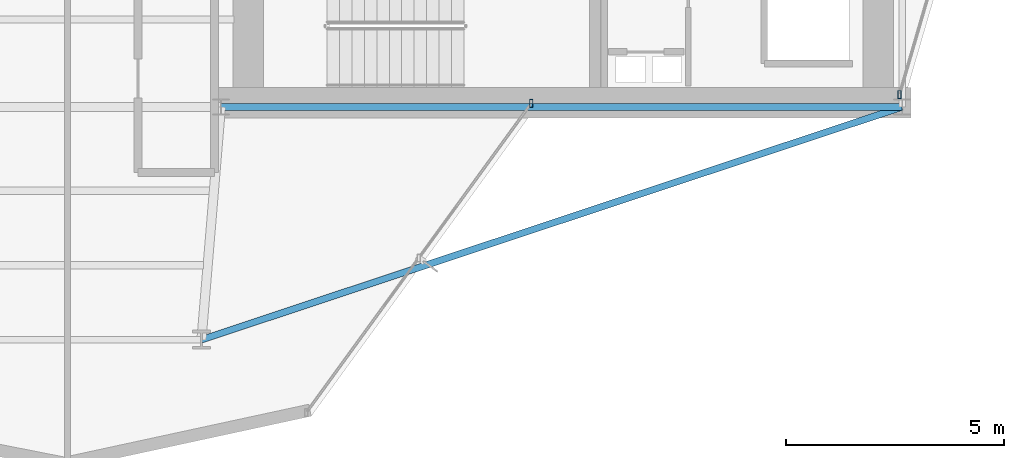
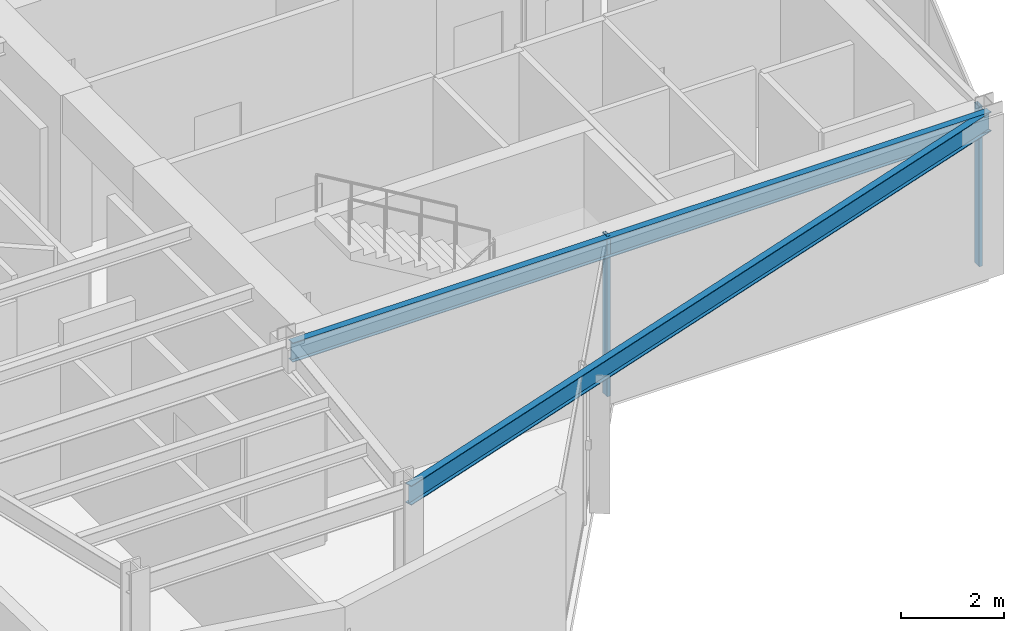
# One storey, part 12 of 21: 2 beams, 2 members, 2 elements without a shape of their own.
"""IFC4 building model written with IfcOpenShell, lengths in metres."""

from ifc_helpers import new_model, si_unit, direction, frame, origin, origin_2d, place, context, subcontext, project, spatial, hollow_rectangle, i_section, extrude, material, layer, layer_set, material_profile, profile_set, type_object, element, aggregate, save


model = new_model("IFC4")

# Units and contexts
model_context = context("Model", 3, precision=1e-05, world=origin(), true_north=direction((0.0, 1.0)))
body_context = subcontext(model_context, "Body", "Model", "MODEL_VIEW")
ifc_project = project(units=[si_unit("LENGTHUNIT", "METRE"), si_unit("AREAUNIT", "SQUARE_METRE"), si_unit("VOLUMEUNIT", "CUBIC_METRE"), si_unit("PLANEANGLEUNIT", "RADIAN"), si_unit("MASSUNIT", "GRAM", prefix="KILO")], contexts=[model_context])

# Site, building, storey
site_placement = place(None, origin())
site = spatial("IfcSite", under=ifc_project, at=site_placement, CompositionType="ELEMENT")
building_placement = place(site_placement, origin())
building = spatial("IfcBuilding", under=site, at=building_placement, Name="Veymaron Broadcast Tower", CompositionType="ELEMENT")
storey_placement = place(building_placement, frame((0.0, 0.0, 228.300048828125)))
storey = spatial("IfcBuildingStorey", under=building, at=storey_placement, Name="L53", CompositionType="ELEMENT", Elevation=228.300048828125)

# Beams
ifc_material_1 = material(Name="Structural steel ASTM A992 Gr 50", Category="steel")
ifc_material_profile_1 = material_profile(ifc_material_1, i_section(OverallWidth=0.154052734375, OverallDepth=0.458984375, WebThickness=0.009033203125, FlangeThickness=0.015380859375, at=origin_2d()), Name="W460X68")
ifc_profile_set_1 = profile_set([ifc_material_profile_1], Name="Structural steel ASTM A992 Gr 50")
beam_type = type_object("IfcBeamType", Name="BM-SP2", PredefinedType="SPANDREL", material=ifc_profile_set_1)
beam_1_placement = place(storey_placement, frame((39.0, 16.0, 3.560546875), z_axis=(1.0, 0.0, 0.0), x_axis=(0.0, 1.0, 0.0)))
element("IfcBeam", 1, at=beam_1_placement, inside=storey, type_object=beam_type, Name="L53 primary structural floor girder", PredefinedType="SPANDREL", context=body_context, shape_type="SweptSolid", body=[
    extrude(i_section(OverallWidth=0.154052734375, OverallDepth=0.458984375, WebThickness=0.009033203125, FlangeThickness=0.015380859375, at=origin_2d()), origin(), (0.0, 0.0, 1.0), 15.60009765625),
])
beam_2_placement = place(storey_placement, frame((54.60009765625, 16.0, 3.560546875), z_axis=(-0.949007696126, -0.315252902753, 0.0), x_axis=(0.315252902753, -0.949007696126, 0.0)))
element("IfcBeam", 2, at=beam_2_placement, inside=storey, type_object=beam_type, Name="L53 primary structural floor girder", PredefinedType="SPANDREL", context=body_context, shape_type="SweptSolid", body=[
    extrude(i_section(OverallWidth=0.154052734375, OverallDepth=0.458984375, WebThickness=0.009033203125, FlangeThickness=0.015380859375, at=origin_2d()), origin(), (0.0, 0.0, 1.0), 16.9072265625),
])

# Curtain wall, member
ifc_material_2 = material(Name="Anodised aluminium AA 6063-T6 and laminated low-E dark glass", Category="aluminium")
ifc_layer = layer(ifc_material_2, 0.179931640625)
ifc_layer_set = layer_set([ifc_layer], Name="Anodised aluminium AA 6063-T6 and laminated low-E dark glass")
curtain_wall_type = type_object("IfcCurtainWallType", Name="CW-SYS-05", PredefinedType="NOTDEFINED", material=ifc_layer_set)
curtain_wall_1_placement = place(storey_placement, origin())
curtain_wall_1 = element("IfcCurtainWall", 3, at=curtain_wall_1_placement, inside=storey, type_object=curtain_wall_type, Name="L53 dark-glass curtain wall CW-L53-E2-1", PredefinedType="NOTDEFINED")
ifc_material_3 = material(Name="Anodised aluminium AA 6063-T6", Category="aluminium")
ifc_material_profile_2 = material_profile(ifc_material_3, hollow_rectangle(XDim=0.074951171875, YDim=0.179931640625, WallThickness=0.0048828125, at=origin_2d()), Name="AL180X75X5")
ifc_profile_set_2 = profile_set([ifc_material_profile_2], Name="Anodised aluminium AA 6063-T6")
member_type = type_object("IfcMemberType", Name="CW-MUL-02", PredefinedType="MULLION", material=ifc_profile_set_2)
member_1_placement = place(storey_placement, frame((54.536376953125, 16.2822265625, 0.0), z_axis=(0.0, 0.0, 1.0), x_axis=(1.0, 0.0, 0.0)))
member_1 = element("IfcMember", 4, at=member_1_placement, type_object=member_type, Name="CW-L53-E2-1 mullion 0", PredefinedType="MULLION", context=body_context, shape_type="SweptSolid", body=[
    extrude(hollow_rectangle(XDim=0.074951171875, YDim=0.179931640625, WallThickness=0.0048828125, at=origin_2d()), origin(), (0.0, 0.0, 1.0), 3.7900390625),
])
aggregate(curtain_wall_1, [member_1])

curtain_wall_2_placement = place(storey_placement, origin())
curtain_wall_2 = element("IfcCurtainWall", 5, at=curtain_wall_2_placement, inside=storey, type_object=curtain_wall_type, Name="L53 dark-glass curtain wall CW-L53-E20-1", PredefinedType="NOTDEFINED")
member_2_placement = place(storey_placement, frame((46.10498046875, 16.082275390625, 0.0), z_axis=(0.0, 0.0, 1.0), x_axis=(1.0, 0.0, 0.0)))
member_2 = element("IfcMember", 6, at=member_2_placement, type_object=member_type, Name="CW-L53-E20-1 mullion 2", PredefinedType="MULLION", context=body_context, shape_type="SweptSolid", body=[
    extrude(hollow_rectangle(XDim=0.074951171875, YDim=0.179931640625, WallThickness=0.0048828125, at=origin_2d()), origin(), (0.0, 0.0, 1.0), 3.7900390625),
])
aggregate(curtain_wall_2, [member_2])

save(model, "model.ifc")
